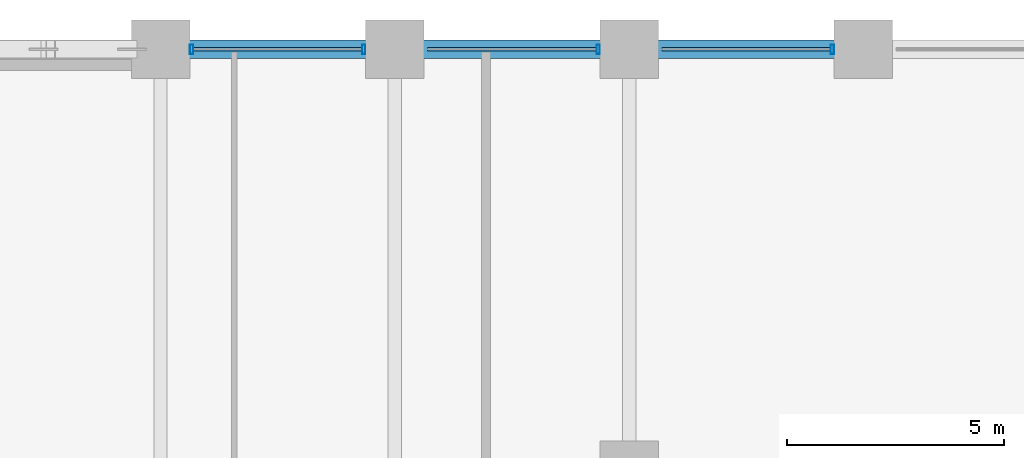
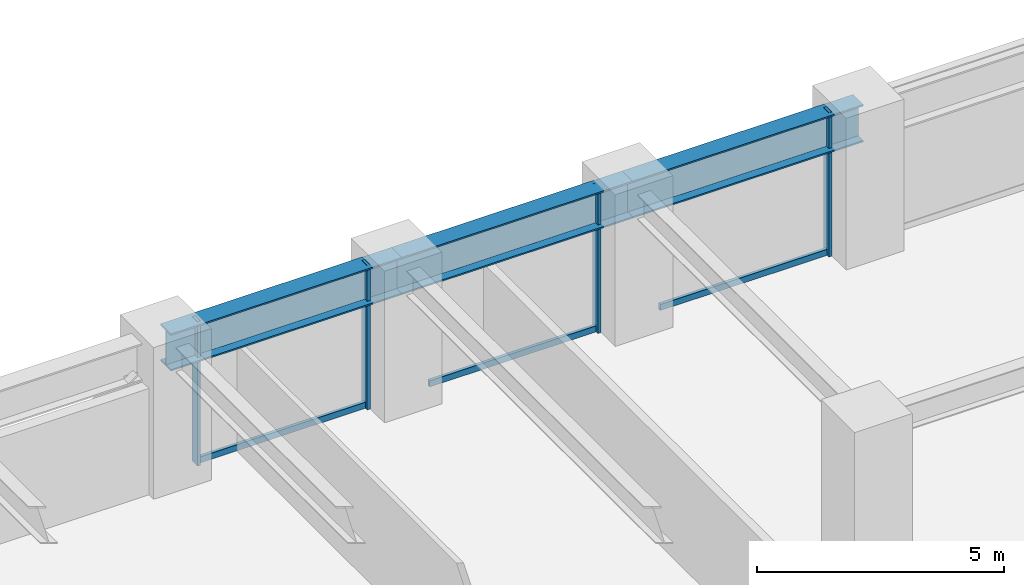
# One storey, part 15 of 25: 7 members, 3 beams, 1 element without a shape of its own.
"""IFC4 building model written with IfcOpenShell, lengths in metres."""

import ifcopenshell
import ifcopenshell.guid

model = None  # the IFC model being written
_history = None  # IfcOwnerHistory: only IFC2X3 demands one
_inside = {}  # id of a spatial element -> (the spatial element, [elements in it])
_under = {}  # id of a project, library or spatial element -> (it, [spatial elements below it])
_declared = {}  # id of a project -> (the project, [libraries it declares])
_typed = {}  # id of a type object -> (the type object, [elements of that type])
_made_of = {}  # id of a material, layer set ... -> (it, [elements and type objects made of it])


def new_model(schema):
    """Start an empty IFC model of exactly this schema.

    Asked for "IFC4X3", IfcOpenShell would pick the latest addendum, in which some entities
    have other attributes; the version numbers below select the first issue.
    IFC2X3 requires an IfcOwnerHistory on every rooted entity: one is made here for all.
    """
    global model, _history
    if schema == "IFC4X3":
        model = ifcopenshell.file(schema_version=(4, 3, 0, 0))
    else:
        model = ifcopenshell.file(schema=schema)
    _inside.clear()
    _under.clear()
    _declared.clear()
    _typed.clear()
    _made_of.clear()
    _history = None
    if model.schema == "IFC2X3":
        org = make("IfcOrganization", Name="unknown")
        user = make(
            "IfcPersonAndOrganization",
            ThePerson=make("IfcPerson", FamilyName="unknown"),
            TheOrganization=org,
        )
        app = make(
            "IfcApplication",
            ApplicationDeveloper=org,
            Version="unknown",
            ApplicationFullName="unknown",
            ApplicationIdentifier="unknown",
        )
        _history = make(
            "IfcOwnerHistory",
            OwningUser=user,
            OwningApplication=app,
            ChangeAction="ADDED",
            CreationDate=0,
        )
    return model


def make(cls, **values):
    """One entity of the class cls with the attributes given. An attribute that is None is left unset."""
    return model.create_entity(
        cls, **{name: value for name, value in values.items() if value is not None}
    )


def rooted(cls, **values):
    """An entity with a GlobalId (a new one), such as an element, a storey or a relation."""
    return make(cls, GlobalId=ifcopenshell.guid.new(), OwnerHistory=_history, **values)


def si_unit(unit_type, name, prefix=None):
    """IfcSIUnit, for example si_unit("LENGTHUNIT", "METRE", prefix="MILLI")."""
    return make("IfcSIUnit", UnitType=unit_type, Prefix=prefix, Name=name)


def assignment(units):
    """IfcUnitAssignment: the units of a project."""
    return None if units is None else make("IfcUnitAssignment", Units=units)


def point(xyz):
    """IfcCartesianPoint."""
    return None if xyz is None else make("IfcCartesianPoint", Coordinates=xyz)


def direction(xyz):
    """IfcDirection."""
    return None if xyz is None else make("IfcDirection", DirectionRatios=xyz)


def frame(location, z_axis=None, x_axis=None):
    """IfcAxis2Placement3D, a coordinate frame: its origin and axes. An axis left out is left unset."""
    return make(
        "IfcAxis2Placement3D",
        Location=point(location),
        Axis=direction(z_axis),
        RefDirection=direction(x_axis),
    )


def frame_2d(location, x_axis=None):
    """IfcAxis2Placement2D, a coordinate frame in the plane: its origin and x axis."""
    return make(
        "IfcAxis2Placement2D", Location=point(location), RefDirection=direction(x_axis)
    )


def origin():
    """The frame at (0, 0, 0) with its axes left unset."""
    return frame((0.0, 0.0, 0.0))


def origin_2d():
    """The frame at (0, 0) in the plane with its x axis left unset."""
    return frame_2d((0.0, 0.0))


def place(relative_to, where):
    """IfcLocalPlacement: puts the frame where relative to a parent placement (None: the world)."""
    return make(
        "IfcLocalPlacement", PlacementRelTo=relative_to, RelativePlacement=where
    )


def context(
    kind, dimensions, precision=None, world=None, true_north=None, identifier=None
):
    """IfcGeometricRepresentationContext, for example the 3D "Model" context."""
    return make(
        "IfcGeometricRepresentationContext",
        ContextIdentifier=identifier,
        ContextType=kind,
        CoordinateSpaceDimension=dimensions,
        Precision=precision,
        WorldCoordinateSystem=world,
        TrueNorth=true_north,
    )


def subcontext(parent, identifier, kind, view, scale=None):
    """IfcGeometricRepresentationSubContext, for example "Body" below "Model"."""
    return make(
        "IfcGeometricRepresentationSubContext",
        ContextIdentifier=identifier,
        ContextType=kind,
        ParentContext=parent,
        TargetScale=scale,
        TargetView=view,
    )


def project(units=None, contexts=None):
    """IfcProject with its units and contexts."""
    return rooted(
        "IfcProject",
        Name="project",
        RepresentationContexts=contexts,
        UnitsInContext=assignment(units),
    )


def spatial(cls, under=None, at=None, **own):
    """A site, building, storey or space (cls), placed at a placement, below another one or the project."""
    s = rooted(cls, ObjectPlacement=at, **own)
    if under is not None:
        _under.setdefault(under.id(), (under, []))[1].append(s)
    return s


def profile(cls, at=None, kind="AREA", **sizes):
    """A parametric profile (cls). Its sizes go by their IFC names, for example OverallWidth=200.0."""
    return make(cls, ProfileType=kind, Position=at, **sizes)


def hollow_rectangle(**sizes):
    """IfcRectangleHollowProfileDef."""
    return profile("IfcRectangleHollowProfileDef", **sizes)


def i_section(**sizes):
    """IfcIShapeProfileDef."""
    return profile("IfcIShapeProfileDef", **sizes)


def extrude(swept, where, along, depth):
    """IfcExtrudedAreaSolid: the profile swept, set in the frame where, extruded along a direction by depth."""
    return make(
        "IfcExtrudedAreaSolid",
        SweptArea=swept,
        Position=where,
        ExtrudedDirection=direction(along),
        Depth=depth,
    )


def shape(context_of_items, identifier, shape_type, items):
    """IfcShapeRepresentation: the items that make up one representation, for example the "Body"."""
    return make(
        "IfcShapeRepresentation",
        ContextOfItems=context_of_items,
        RepresentationIdentifier=identifier,
        RepresentationType=shape_type,
        Items=items,
    )


def material(Name=None, Category=None):
    """IfcMaterial."""
    return make("IfcMaterial", Name=Name, Category=Category)


def layer(
    of_material, thickness, ventilated=None, Name=None, Category=None, Priority=None
):
    """IfcMaterialLayer: one layer of a wall or slab, of a material (None: an air gap)."""
    return make(
        "IfcMaterialLayer",
        Material=of_material,
        LayerThickness=thickness,
        IsVentilated=ventilated,
        Name=Name,
        Category=Category,
        Priority=Priority,
    )


def layer_set(layers, Name=None):
    """IfcMaterialLayerSet."""
    return make("IfcMaterialLayerSet", MaterialLayers=layers, LayerSetName=Name)


def material_profile(
    of_material, cross_section, Name=None, Category=None, Priority=None
):
    """IfcMaterialProfile: a cross section and its material."""
    return make(
        "IfcMaterialProfile",
        Name=Name,
        Material=of_material,
        Profile=cross_section,
        Priority=Priority,
        Category=Category,
    )


def profile_set(profiles, Name=None, composite=None):
    """IfcMaterialProfileSet."""
    return make(
        "IfcMaterialProfileSet",
        Name=Name,
        MaterialProfiles=profiles,
        CompositeProfile=composite,
    )


def made_of(thing, what):
    """Note that an element or type object is made of a material, layer set ...; save() writes the relation."""
    if what is not None:
        _made_of.setdefault(what.id(), (what, []))[1].append(thing)
    return thing


def type_object(cls, material=None, **own):
    """A type object (cls), such as IfcWallType, which elements share."""
    return made_of(rooted(cls, **own), material)


def element(
    cls,
    number,
    at=None,
    inside=None,
    cuts=None,
    type_object=None,
    material=None,
    context=None,
    identifier="Body",
    shape_type=None,
    held_by="IfcProductDefinitionShape",
    body=None,
    shapes=None,
    **own,
):
    """One element of the class cls, such as IfcWall. Its Tag is "e" and its number.

    at: its placement. inside: the storey or other place that contains it. cuts: it is an
    opening in that element (IfcRelVoidsElement). A single representation is given by context,
    identifier, shape_type and body (its items); several are given by shapes. held_by: the class
    of the entity that holds the representations. save() writes the other relations.
    """
    e = rooted(cls, Tag="e%d" % number, ObjectPlacement=at, **own)
    if body is not None:
        shapes = [shape(context, identifier, shape_type, body)]
    if shapes is not None:
        e.Representation = make(held_by, Representations=shapes)
    if inside is not None:
        _inside.setdefault(inside.id(), (inside, []))[1].append(e)
    if cuts is not None:
        rooted(
            "IfcRelVoidsElement", RelatingBuildingElement=cuts, RelatedOpeningElement=e
        )
    if type_object is not None:
        _typed.setdefault(type_object.id(), (type_object, []))[1].append(e)
    return made_of(e, material)


def aggregate(whole, parts):
    """IfcRelAggregates: a whole, such as a stair, and the parts it consists of."""
    return rooted("IfcRelAggregates", RelatingObject=whole, RelatedObjects=parts)


def save(model, path):
    """Write the relations noted so far, then the file.

    IfcRelAggregates (storeys below a building ...), IfcRelContainedInSpatialStructure (elements
    in a storey), IfcRelDefinesByType, IfcRelAssociatesMaterial and IfcRelDeclares: one each for
    every whole, place, type object, material and project.
    """
    for whole, parts in _under.values():
        aggregate(whole, parts)
    for where, things in _inside.values():
        rooted(
            "IfcRelContainedInSpatialStructure",
            RelatedElements=things,
            RelatingStructure=where,
        )
    for kind, things in _typed.values():
        rooted("IfcRelDefinesByType", RelatedObjects=things, RelatingType=kind)
    for what, things in _made_of.values():
        rooted("IfcRelAssociatesMaterial", RelatedObjects=things, RelatingMaterial=what)
    for by, libraries in _declared.values():
        rooted("IfcRelDeclares", RelatingContext=by, RelatedDefinitions=libraries)
    model.write(path)


model = new_model("IFC4")

# Units and contexts
model_context = context("Model", 3, precision=1e-05, world=origin(), true_north=direction((0.0, 1.0)))
body_context = subcontext(model_context, "Body", "Model", "MODEL_VIEW")
ifc_project = project(units=[si_unit("LENGTHUNIT", "METRE"), si_unit("AREAUNIT", "SQUARE_METRE"), si_unit("VOLUMEUNIT", "CUBIC_METRE"), si_unit("PLANEANGLEUNIT", "RADIAN"), si_unit("MASSUNIT", "GRAM", prefix="KILO")], contexts=[model_context])

# Site, building, storey
site_placement = place(None, origin())
site = spatial("IfcSite", under=ifc_project, at=site_placement, CompositionType="ELEMENT")
building_placement = place(site_placement, origin())
building = spatial("IfcBuilding", under=site, at=building_placement, Name="Surkhivell Harbour Commons", CompositionType="ELEMENT")
storey_placement = place(building_placement, frame((0.0, 0.0, 33.75)))
storey = spatial("IfcBuildingStorey", under=building, at=storey_placement, Name="L08", CompositionType="ELEMENT", Elevation=33.75)

# Beams
ifc_material_1 = material(Name="Steel S460", Category="steel")
ifc_material_profile_1 = material_profile(ifc_material_1, i_section(OverallWidth=0.419921875, OverallDepth=0.9208984375, WebThickness=0.021484375, FlangeThickness=0.03662109375, at=origin_2d()), Name="UB914x419x388")
ifc_profile_set_1 = profile_set([ifc_material_profile_1], Name="Steel S460")
beam_type = type_object("IfcBeamType", Name="BM-SPN-914A", PredefinedType="SPANDREL", material=ifc_profile_set_1)
beam_1_placement = place(storey_placement, frame((5.39990234375, 25.89990234375, 3.109619140625), z_axis=(1.0, 0.0, 0.0), x_axis=(0.0, 1.0, 0.0)))
element("IfcBeam", 1, at=beam_1_placement, inside=storey, type_object=beam_type, Name="L08 Tube Spandrel (5.4,25.9)", PredefinedType="SPANDREL", context=body_context, shape_type="SweptSolid", body=[
    extrude(i_section(OverallWidth=0.419921875, OverallDepth=0.9208984375, WebThickness=0.021484375, FlangeThickness=0.03662109375, at=origin_2d()), origin(), (0.0, 0.0, 1.0), 5.400146484375),
])
beam_2_placement = place(storey_placement, frame((10.800048828125, 25.89990234375, 3.109619140625), z_axis=(1.0, 0.0, 0.0), x_axis=(0.0, 1.0, 0.0)))
element("IfcBeam", 2, at=beam_2_placement, inside=storey, type_object=beam_type, Name="L08 Tube Spandrel (10.8,25.9)", PredefinedType="SPANDREL", context=body_context, shape_type="SweptSolid", body=[
    extrude(i_section(OverallWidth=0.419921875, OverallDepth=0.9208984375, WebThickness=0.021484375, FlangeThickness=0.03662109375, at=origin_2d()), origin(), (0.0, 0.0, 1.0), 5.39990234375),
])
beam_3_placement = place(storey_placement, frame((16.199951171875, 25.89990234375, 3.109619140625), z_axis=(1.0, 0.0, 0.0), x_axis=(0.0, 1.0, 0.0)))
element("IfcBeam", 3, at=beam_3_placement, inside=storey, type_object=beam_type, Name="L08 Tube Spandrel (16.2,25.9)", PredefinedType="SPANDREL", context=body_context, shape_type="SweptSolid", body=[
    extrude(i_section(OverallWidth=0.419921875, OverallDepth=0.9208984375, WebThickness=0.021484375, FlangeThickness=0.03662109375, at=origin_2d()), origin(), (0.0, 0.0, 1.0), 5.400146484375),
])

# Curtain wall, members
ifc_material_2 = material(Name="Anodised pale-metal aluminium and insulated glazing", Category="aluminium")
ifc_layer = layer(ifc_material_2, 0.219970703125)
ifc_layer_set = layer_set([ifc_layer], Name="Anodised pale-metal aluminium and insulated glazing")
curtain_wall_type = type_object("IfcCurtainWallType", Name="CW-SYS-Z1", PredefinedType="NOTDEFINED", material=ifc_layer_set)
curtain_wall_placement = place(storey_placement, origin())
curtain_wall = element("IfcCurtainWall", 4, at=curtain_wall_placement, inside=storey, type_object=curtain_wall_type, Name="L08 Curtain Wall CW-L08-E07S1", PredefinedType="NOTDEFINED")
ifc_material_3 = material(Name="Anodised pale-metal aluminium alloy 6063-T6", Category="aluminium")
ifc_material_profile_2 = material_profile(ifc_material_3, hollow_rectangle(XDim=0.074951171875, YDim=0.219970703125, WallThickness=0.00390625, at=origin_2d()), Name="ALU-MULL-75x220")
ifc_profile_set_2 = profile_set([ifc_material_profile_2], Name="Anodised pale-metal aluminium alloy 6063-T6")
member_type_1 = type_object("IfcMemberType", Name="CWM-220", PredefinedType="MULLION", material=ifc_profile_set_2)
member_1_placement = place(storey_placement, frame((20.885498046875, 25.89990234375, 0.0), z_axis=(0.0, 0.0, 1.0), x_axis=(-1.0, 0.0, 0.0)))
member_1 = element("IfcMember", 5, at=member_1_placement, type_object=member_type_1, Name="CW-Z1 mullion 2", PredefinedType="MULLION", context=body_context, shape_type="SweptSolid", body=[
    extrude(hollow_rectangle(XDim=0.074951171875, YDim=0.219970703125, WallThickness=0.00390625, at=origin_2d()), origin(), (0.0, 0.0, 1.0), 3.570068359375),
])
member_2_placement = place(storey_placement, frame((15.485595703125, 25.89990234375, 0.0), z_axis=(0.0, 0.0, 1.0), x_axis=(-1.0, 0.0, 0.0)))
member_2 = element("IfcMember", 6, at=member_2_placement, type_object=member_type_1, Name="CW-Z1 mullion 3", PredefinedType="MULLION", context=body_context, shape_type="SweptSolid", body=[
    extrude(hollow_rectangle(XDim=0.074951171875, YDim=0.219970703125, WallThickness=0.00390625, at=origin_2d()), origin(), (0.0, 0.0, 1.0), 3.570068359375),
])
member_3_placement = place(storey_placement, frame((10.08544921875, 25.89990234375, 0.0), z_axis=(0.0, 0.0, 1.0), x_axis=(-1.0, 0.0, 0.0)))
member_3 = element("IfcMember", 7, at=member_3_placement, type_object=member_type_1, Name="CW-Z1 mullion 4", PredefinedType="MULLION", context=body_context, shape_type="SweptSolid", body=[
    extrude(hollow_rectangle(XDim=0.074951171875, YDim=0.219970703125, WallThickness=0.00390625, at=origin_2d()), origin(), (0.0, 0.0, 1.0), 3.570068359375),
])
member_4_placement = place(storey_placement, frame((6.114501953125, 25.89990234375, 0.0), z_axis=(0.0, 0.0, 1.0), x_axis=(-1.0, 0.0, 0.0)))
member_4 = element("IfcMember", 8, at=member_4_placement, type_object=member_type_1, Name="CW-Z1 mullion 5", PredefinedType="MULLION", context=body_context, shape_type="SweptSolid", body=[
    extrude(hollow_rectangle(XDim=0.074951171875, YDim=0.219970703125, WallThickness=0.00390625, at=origin_2d()), origin(), (0.0, 0.0, 1.0), 3.570068359375),
])
ifc_material_profile_3 = material_profile(ifc_material_3, hollow_rectangle(XDim=0.074951171875, YDim=0.14990234375, WallThickness=0.00341796875, at=origin_2d()), Name="ALU-TRAN-75x150")
ifc_profile_set_3 = profile_set([ifc_material_profile_3], Name="Anodised pale-metal aluminium alloy 6063-T6")
member_type_2 = type_object("IfcMemberType", Name="CWT-150", PredefinedType="USERDEFINED", material=ifc_profile_set_3)
member_5_placement = place(storey_placement, frame((20.847900390625, 25.89990234375, 0.074951171875), z_axis=(-1.0, 0.0, 0.0), x_axis=(0.0, -1.0, 0.0)))
member_5 = element("IfcMember", 9, at=member_5_placement, type_object=member_type_2, Name="CW-Z1 transom 2.1", ObjectType="TRANSOM", PredefinedType="USERDEFINED", context=body_context, shape_type="SweptSolid", body=[
    extrude(hollow_rectangle(XDim=0.074951171875, YDim=0.14990234375, WallThickness=0.00341796875, at=origin_2d()), origin(), (0.0, 0.0, 1.0), 3.89599609375),
])
member_6_placement = place(storey_placement, frame((15.447998046875, 25.89990234375, 0.074951171875), z_axis=(-1.0, 0.0, 0.0), x_axis=(0.0, -1.0, 0.0)))
member_6 = element("IfcMember", 10, at=member_6_placement, type_object=member_type_2, Name="CW-Z1 transom 3.1", ObjectType="TRANSOM", PredefinedType="USERDEFINED", context=body_context, shape_type="SweptSolid", body=[
    extrude(hollow_rectangle(XDim=0.074951171875, YDim=0.14990234375, WallThickness=0.00341796875, at=origin_2d()), origin(), (0.0, 0.0, 1.0), 3.89599609375),
])
member_7_placement = place(storey_placement, frame((10.048095703125, 25.89990234375, 0.074951171875), z_axis=(-1.0, 0.0, 0.0), x_axis=(0.0, -1.0, 0.0)))
member_7 = element("IfcMember", 11, at=member_7_placement, type_object=member_type_2, Name="CW-Z1 transom 4.1", ObjectType="TRANSOM", PredefinedType="USERDEFINED", context=body_context, shape_type="SweptSolid", body=[
    extrude(hollow_rectangle(XDim=0.074951171875, YDim=0.14990234375, WallThickness=0.00341796875, at=origin_2d()), origin(), (0.0, 0.0, 1.0), 3.89599609375),
])
aggregate(curtain_wall, [member_1, member_5, member_2, member_6, member_3, member_4, member_7])

save(model, "model.ifc")
